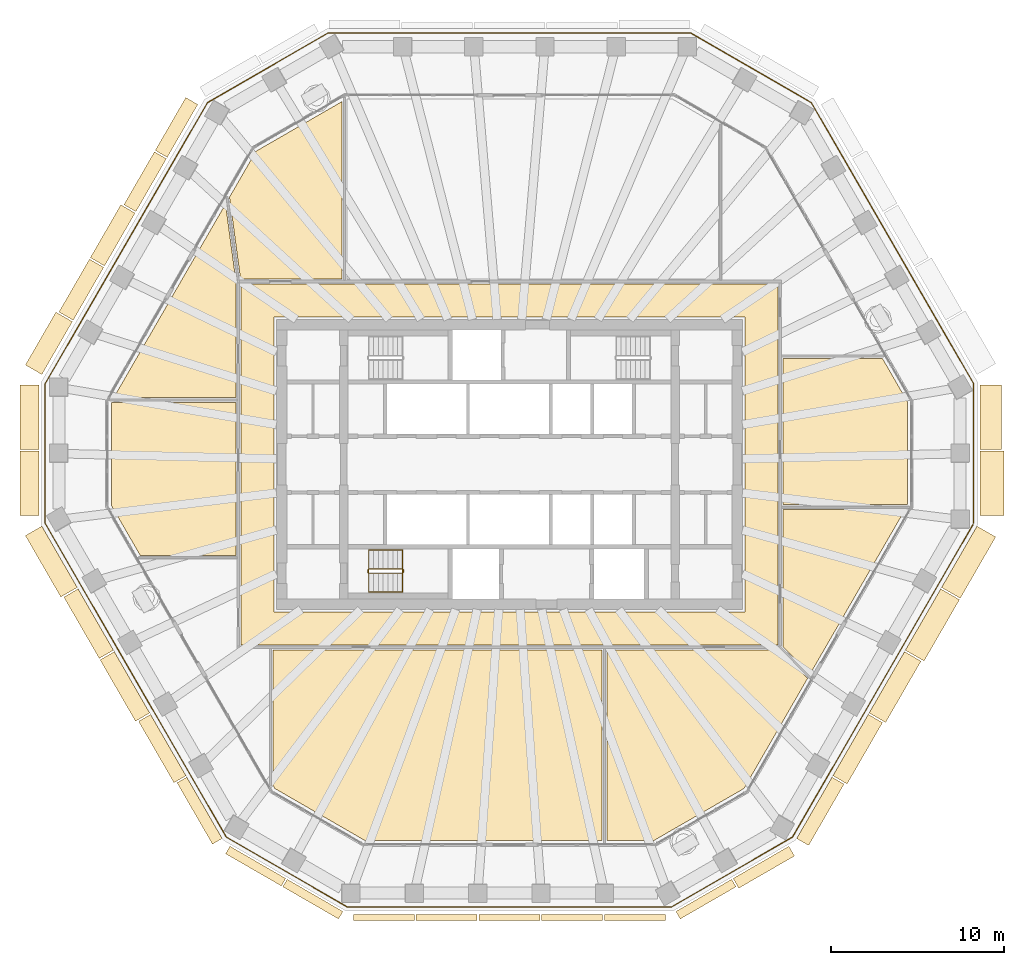
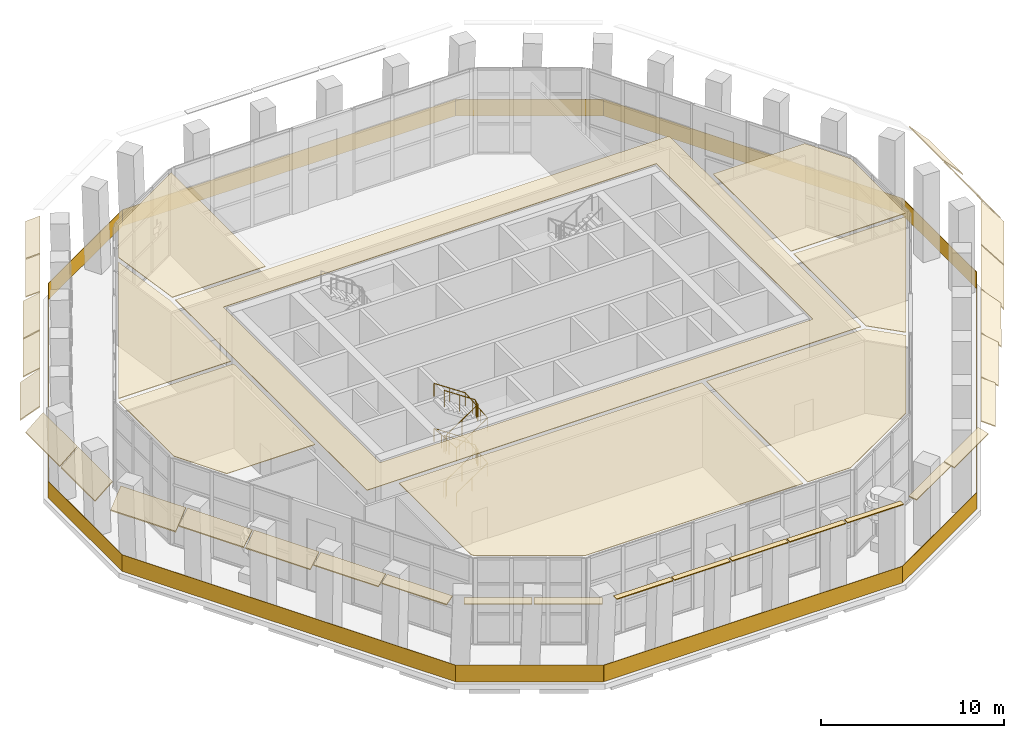
# One storey, part 16 of 19: 36 coverings, 3 railings.
"""IFC4 building model written with IfcOpenShell, lengths in metres."""

from ifc_helpers import new_model, si_unit, direction, frame, origin, origin_2d, place, context, subcontext, project, spatial, polyline, rectangle, circle, outline, extrude, material, layer, layer_set, type_object, element, save


model = new_model("IFC4")

# Units and contexts
model_context = context("Model", 3, precision=1e-05, world=origin(), true_north=direction((0.0, 1.0)))
body_context = subcontext(model_context, "Body", "Model", "MODEL_VIEW")
ifc_project = project(units=[si_unit("LENGTHUNIT", "METRE"), si_unit("AREAUNIT", "SQUARE_METRE"), si_unit("VOLUMEUNIT", "CUBIC_METRE"), si_unit("PLANEANGLEUNIT", "RADIAN"), si_unit("MASSUNIT", "GRAM", prefix="KILO")], contexts=[model_context])

# Site, building, storey
site_placement = place(None, origin())
site = spatial("IfcSite", under=ifc_project, at=site_placement, CompositionType="ELEMENT")
building_placement = place(site_placement, origin())
building = spatial("IfcBuilding", under=site, at=building_placement, Name="Frailejon Research Tower", CompositionType="ELEMENT")
storey_placement = place(building_placement, frame((0.0, 0.0, 231.39990234375)))
storey = spatial("IfcBuildingStorey", under=building, at=storey_placement, Name="L50", CompositionType="ELEMENT", Elevation=231.39990234375)

# Coverings
ifc_material_1 = material(Name="Precast concrete C50/60", Category="concrete")
ifc_layer_1 = layer(ifc_material_1, 0.06005859375)
ifc_layer_set_1 = layer_set([ifc_layer_1], Name="Brim blade depth 1100")
covering_type_1 = type_object("IfcCoveringType", Name="Brim blade depth 1100", PredefinedType="CLADDING", material=ifc_layer_set_1)
covering_1_placement = place(storey_placement, frame((-27.09033203125, 5.212158203125, 5.85009765625), z_axis=(0.499982200163, 0.866035680282, 0.0), x_axis=(-0.866035680282, 0.499982200163, 0.0)))
element("IfcCovering", 1, at=covering_1_placement, inside=storey, type_object=covering_type_1, Name="Brim blade L50", PredefinedType="CLADDING", context=body_context, shape_type="SweptSolid", body=[
    extrude(outline(polyline([(0.0, -0.078369140625), (1.10009765625, -1.001220703125), (1.10009765625, -0.923095703125), (0.0, 0.0), (0.0, -0.078369140625)])), origin(), (0.0, 0.0, 1.0), 3.532470703125),
])
for number, where, z_axis, x_axis, name in (
    (2, (-27.256103515625, 0.8671875, 5.85009765625), (0.0, 1.0, 0.0), (-1.0, 0.0, 0.0), "Brim blade L50"),
    (3, (-27.256103515625, -2.959716796875, 5.85009765625), (0.0, 1.0, 0.0), (-1.0, 0.0, 0.0), "Brim blade L50"),
):
    element("IfcCovering", number, at=place(storey_placement, frame(where, z_axis=z_axis, x_axis=x_axis)), inside=storey, type_object=covering_type_1, Name=name, PredefinedType="CLADDING", context=body_context, shape_type="SweptSolid", body=[
        extrude(outline(polyline([(0.0, -0.078369140625), (1.10009765625, -1.001220703125), (1.10009765625, -0.923095703125), (0.0, 0.0), (0.0, -0.078369140625)])), origin(), (0.0, 0.0, 1.0), 3.726806640625),
    ])
for number, where, z_axis, x_axis, name in (
    (4, (-25.041015625, -7.12744140625, 5.85009765625), (-0.499989094869, 0.866031699773, 0.0), (-0.866031699773, -0.499989094869, 0.0), "Brim blade L50"),
    (5, (22.891845703125, -10.85009765625, 5.85009765625), (-0.499989094869, -0.866031699773, 0.0), (0.866031699773, -0.499989094869, 0.0), "Brim blade L50"),
):
    element("IfcCovering", number, at=place(storey_placement, frame(where, z_axis=z_axis, x_axis=x_axis)), inside=storey, type_object=covering_type_1, Name=name, PredefinedType="CLADDING", context=body_context, shape_type="SweptSolid", body=[
        extrude(outline(polyline([(0.0, -0.078369140625), (1.10009765625, -1.001220703125), (1.10009765625, -0.923095703125), (0.0, 0.0), (0.0, -0.078369140625)])), origin(), (0.0, 0.0, 1.0), 4.0986328125),
    ])
ifc_material_2 = material(Name="Precast concrete C50/60", Category="concrete")
ifc_layer_2 = layer(ifc_material_2, 0.06005859375)
ifc_layer_set_2 = layer_set([ifc_layer_2], Name="Brim blade depth 1250")
covering_type_2 = type_object("IfcCoveringType", Name="Brim blade depth 1250", PredefinedType="CLADDING", material=ifc_layer_set_2)
covering_2_placement = place(storey_placement, frame((27.256103515625, 4.59375, 5.85009765625), z_axis=(0.0, -1.0, 0.0), x_axis=(1.0, 0.0, 0.0)))
element("IfcCovering", 6, at=covering_2_placement, inside=storey, type_object=covering_type_2, Name="Brim blade L50", PredefinedType="CLADDING", context=body_context, shape_type="SweptSolid", body=[
    extrude(outline(polyline([(0.0, -0.0888671875), (1.25, -1.452880859375), (1.25, -1.364013671875), (0.0, 0.0), (0.0, -0.0888671875)])), origin(), (0.0, 0.0, 1.0), 3.726806640625),
])
for number, where, z_axis, x_axis, name in (
    (7, (24.9912109375, -7.214111328125, 5.85009765625), (-0.499999407816, -0.866025745682, 0.0), (0.866025745682, -0.499999407816, 0.0), "Brim blade L50"),
    (8, (27.09033203125, -3.577880859375, 5.85009765625), (-0.499989094869, -0.866031699773, 0.0), (0.866031699773, -0.499989094869, 0.0), "Brim blade L50"),
):
    element("IfcCovering", number, at=place(storey_placement, frame(where, z_axis=z_axis, x_axis=x_axis)), inside=storey, type_object=covering_type_2, Name=name, PredefinedType="CLADDING", context=body_context, shape_type="SweptSolid", body=[
        extrude(outline(polyline([(0.0, -0.0888671875), (1.25, -1.452880859375), (1.25, -1.364013671875), (0.0, 0.0), (0.0, -0.0888671875)])), origin(), (0.0, 0.0, 1.0), 4.0986328125),
    ])
ifc_material_3 = material(Name="Precast concrete C50/60", Category="concrete")
ifc_layer_3 = layer(ifc_material_3, 0.06005859375)
ifc_layer_set_3 = layer_set([ifc_layer_3], Name="Brim blade depth 1400")
covering_type_3 = type_object("IfcCoveringType", Name="Brim blade depth 1400", PredefinedType="CLADDING", material=ifc_layer_set_3)
covering_3_placement = place(storey_placement, frame((27.256103515625, 0.76708984375, 5.85009765625), z_axis=(0.0, -1.0, 0.0), x_axis=(1.0, 0.0, 0.0)))
element("IfcCovering", 9, at=covering_3_placement, inside=storey, type_object=covering_type_3, Name="Brim blade L50", PredefinedType="CLADDING", context=body_context, shape_type="SweptSolid", body=[
    extrude(outline(polyline([(0.0, -0.1044921875), (1.39990234375, -2.10400390625), (1.39990234375, -1.99951171875), (0.0, 0.0), (0.0, -0.1044921875)])), origin(), (0.0, 0.0, 1.0), 3.726806640625),
])
ifc_material_4 = material(Name="Precast concrete C50/60", Category="concrete")
ifc_layer_4 = layer(ifc_material_4, 0.06005859375)
ifc_layer_set_4 = layer_set([ifc_layer_4], Name="Brim blade depth 350")
covering_type_4 = type_object("IfcCoveringType", Name="Brim blade depth 350", PredefinedType="CLADDING", material=ifc_layer_set_4)
covering_4_placement = place(storey_placement, frame((-5.498779296875, -26.067138671875, 5.85009765625), z_axis=(-1.0, 0.0, 0.0), x_axis=(0.0, -1.0, 0.0)))
element("IfcCovering", 10, at=covering_4_placement, inside=storey, type_object=covering_type_4, Name="Brim blade L50", PredefinedType="CLADDING", context=body_context, shape_type="SweptSolid", body=[
    extrude(outline(polyline([(0.0, -0.06005859375), (0.35009765625, -0.06005859375), (0.35009765625, 0.0), (0.0, 0.0), (0.0, -0.06005859375)])), origin(), (0.0, 0.0, 1.0), 3.532470703125),
])
for number, where, z_axis, x_axis, name in (
    (11, (-1.8662109375, -26.067138671875, 5.85009765625), (-1.0, 0.0, 0.0), (0.0, -1.0, 0.0), "Brim blade L50"),
    (12, (1.766357421875, -26.067138671875, 5.85009765625), (-1.0, 0.0, 0.0), (0.0, -1.0, 0.0), "Brim blade L50"),
    (13, (5.39892578125, -26.067138671875, 5.85009765625), (-1.0, 0.0, 0.0), (0.0, -1.0, 0.0), "Brim blade L50"),
):
    element("IfcCovering", number, at=place(storey_placement, frame(where, z_axis=z_axis, x_axis=x_axis)), inside=storey, type_object=covering_type_4, Name=name, PredefinedType="CLADDING", context=body_context, shape_type="SweptSolid", body=[
        extrude(outline(polyline([(0.0, -0.06005859375), (0.35009765625, -0.06005859375), (0.35009765625, 0.0), (0.0, 0.0), (0.0, -0.06005859375)])), origin(), (0.0, 0.0, 1.0), 3.53271484375),
    ])
covering_5_placement = place(storey_placement, frame((9.031494140625, -26.067138671875, 5.85009765625), z_axis=(-1.0, 0.0, 0.0), x_axis=(0.0, -1.0, 0.0)))
element("IfcCovering", 14, at=covering_5_placement, inside=storey, type_object=covering_type_4, Name="Brim blade L50", PredefinedType="CLADDING", context=body_context, shape_type="SweptSolid", body=[
    extrude(outline(polyline([(0.0, -0.06005859375), (0.35009765625, -0.06005859375), (0.35009765625, 0.0), (0.0, 0.0), (0.0, -0.06005859375)])), origin(), (0.0, 0.0, 1.0), 3.532470703125),
])
ifc_material_5 = material(Name="Precast concrete C50/60", Category="concrete")
ifc_layer_5 = layer(ifc_material_5, 0.06005859375)
ifc_layer_set_5 = layer_set([ifc_layer_5], Name="Brim blade depth 500")
covering_type_5 = type_object("IfcCoveringType", Name="Brim blade depth 500", PredefinedType="CLADDING", material=ifc_layer_set_5)
for number, where, z_axis, x_axis, name in (
    (15, (-12.9638671875, -23.988037109375, 5.85009765625), (-0.866029793251, 0.499992397145, 0.0), (-0.499992397145, -0.866029793251, 0.0), "Brim blade L50"),
    (16, (-9.649658203125, -25.9013671875, 5.85009765625), (-0.866025010706, 0.50000068083, 0.0), (-0.50000068083, -0.866025010706, 0.0), "Brim blade L50"),
    (17, (12.877197265625, -24.0380859375, 5.85009765625), (-0.866025010706, -0.50000068083, 0.0), (0.50000068083, -0.866025010706, 0.0), "Brim blade L50"),
):
    element("IfcCovering", number, at=place(storey_placement, frame(where, z_axis=z_axis, x_axis=x_axis)), inside=storey, type_object=covering_type_5, Name=name, PredefinedType="CLADDING", context=body_context, shape_type="SweptSolid", body=[
        extrude(outline(polyline([(0.0, -0.060546875), (0.5, -0.130859375), (0.5, -0.0703125), (0.0, 0.0), (0.0, -0.060546875)])), origin(), (0.0, 0.0, 1.0), 3.726806640625),
    ])
ifc_material_6 = material(Name="Precast concrete C50/60", Category="concrete")
ifc_layer_6 = layer(ifc_material_6, 0.06005859375)
ifc_layer_set_6 = layer_set([ifc_layer_6], Name="Brim blade depth 650")
covering_type_6 = type_object("IfcCoveringType", Name="Brim blade depth 650", PredefinedType="CLADDING", material=ifc_layer_set_6)
covering_6_placement = place(storey_placement, frame((-16.643798828125, -21.672119140625, 5.85009765625), z_axis=(-0.499989094869, 0.866031699773, 0.0), x_axis=(-0.866031699773, -0.499989094869, 0.0)))
element("IfcCovering", 18, at=covering_6_placement, inside=storey, type_object=covering_type_6, Name="Brim blade L50", PredefinedType="CLADDING", context=body_context, shape_type="SweptSolid", body=[
    extrude(outline(polyline([(0.0, -0.0625), (0.64990234375, -0.248779296875), (0.64990234375, -0.186279296875), (0.0, 0.0), (0.0, -0.0625)])), origin(), (0.0, 0.0, 1.0), 4.0986328125),
])
covering_7_placement = place(storey_placement, frame((16.191162109375, -22.124755859375, 5.85009765625), z_axis=(-0.866029793251, -0.499992397145, 0.0), x_axis=(0.499992397145, -0.866029793251, 0.0)))
element("IfcCovering", 19, at=covering_7_placement, inside=storey, type_object=covering_type_6, Name="Brim blade L50", PredefinedType="CLADDING", context=body_context, shape_type="SweptSolid", body=[
    extrude(outline(polyline([(0.0, -0.0625), (0.64990234375, -0.248779296875), (0.64990234375, -0.186279296875), (0.0, 0.0), (0.0, -0.0625)])), origin(), (0.0, 0.0, 1.0), 3.726806640625),
])
ifc_material_7 = material(Name="Precast concrete C50/60", Category="concrete")
ifc_layer_7 = layer(ifc_material_7, 0.06005859375)
ifc_layer_set_7 = layer_set([ifc_layer_7], Name="Brim blade depth 800")
covering_type_7 = type_object("IfcCoveringType", Name="Brim blade depth 800", PredefinedType="CLADDING", material=ifc_layer_set_7)
for number, where, z_axis, x_axis, name in (
    (20, (-19.8251953125, 17.795654296875, 5.85009765625), (0.500002847027, 0.866023760046, 0.0), (-0.866023760046, 0.500002847027, 0.0), "Brim blade L50"),
    (21, (-21.6416015625, 14.64990234375, 5.85009765625), (0.500002847027, 0.866023760046, 0.0), (-0.866023760046, 0.500002847027, 0.0), "Brim blade L50"),
):
    element("IfcCovering", number, at=place(storey_placement, frame(where, z_axis=z_axis, x_axis=x_axis)), inside=storey, type_object=covering_type_7, Name=name, PredefinedType="CLADDING", context=body_context, shape_type="SweptSolid", body=[
        extrude(outline(polyline([(0.0, -0.065673828125), (0.800048828125, -0.421875), (0.800048828125, -0.356201171875), (0.0, 0.0), (0.0, -0.065673828125)])), origin(), (0.0, 0.0, 1.0), 3.53271484375),
    ])
for number, where, z_axis, x_axis, name in (
    (22, (-18.7431640625, -18.035888671875, 5.85009765625), (-0.50001727106, 0.866015432104, 0.0), (-0.866015432104, -0.50001727106, 0.0), "Brim blade L50"),
    (23, (18.693115234375, -18.12255859375, 5.85009765625), (-0.499989094869, -0.866031699773, 0.0), (0.866031699773, -0.499989094869, 0.0), "Brim blade L50"),
):
    element("IfcCovering", number, at=place(storey_placement, frame(where, z_axis=z_axis, x_axis=x_axis)), inside=storey, type_object=covering_type_7, Name=name, PredefinedType="CLADDING", context=body_context, shape_type="SweptSolid", body=[
        extrude(outline(polyline([(0.0, -0.065673828125), (0.800048828125, -0.421875), (0.800048828125, -0.356201171875), (0.0, 0.0), (0.0, -0.065673828125)])), origin(), (0.0, 0.0, 1.0), 4.0986328125),
    ])
ifc_material_8 = material(Name="Precast concrete C50/60", Category="concrete")
ifc_layer_8 = layer(ifc_material_8, 0.06005859375)
ifc_layer_set_8 = layer_set([ifc_layer_8], Name="Brim blade depth 950")
covering_type_8 = type_object("IfcCoveringType", Name="Brim blade depth 950", PredefinedType="CLADDING", material=ifc_layer_set_8)
for number, where, z_axis, x_axis, name in (
    (24, (-23.4580078125, 11.50390625, 5.85009765625), (0.500002847027, 0.866023760046, 0.0), (-0.866023760046, 0.500002847027, 0.0), "Brim blade L50"),
    (25, (-25.274169921875, 8.35791015625, 5.85009765625), (0.500002847027, 0.866023760046, 0.0), (-0.866023760046, 0.500002847027, 0.0), "Brim blade L50"),
):
    element("IfcCovering", number, at=place(storey_placement, frame(where, z_axis=z_axis, x_axis=x_axis)), inside=storey, type_object=covering_type_8, Name=name, PredefinedType="CLADDING", context=body_context, shape_type="SweptSolid", body=[
        extrude(outline(polyline([(0.0, -0.07080078125), (0.949951171875, -0.664306640625), (0.949951171875, -0.593505859375), (0.0, 0.0), (0.0, -0.07080078125)])), origin(), (0.0, 0.0, 1.0), 3.53271484375),
    ])
for number, where, z_axis, x_axis, name in (
    (26, (-22.94189453125, -10.763671875, 5.85009765625), (-0.499999407816, 0.866025745682, 0.0), (-0.866025745682, -0.499999407816, 0.0), "Brim blade L50"),
    (27, (-20.842529296875, -14.39990234375, 5.85009765625), (-0.499989094869, 0.866031699773, 0.0), (-0.866031699773, -0.499989094869, 0.0), "Brim blade L50"),
    (28, (20.79248046875, -14.486328125, 5.85009765625), (-0.50001727106, -0.866015432104, 0.0), (0.866015432104, -0.50001727106, 0.0), "Brim blade L50"),
):
    element("IfcCovering", number, at=place(storey_placement, frame(where, z_axis=z_axis, x_axis=x_axis)), inside=storey, type_object=covering_type_8, Name=name, PredefinedType="CLADDING", context=body_context, shape_type="SweptSolid", body=[
        extrude(outline(polyline([(0.0, -0.07080078125), (0.949951171875, -0.664306640625), (0.949951171875, -0.593505859375), (0.0, 0.0), (0.0, -0.07080078125)])), origin(), (0.0, 0.0, 1.0), 4.0986328125),
    ])

# Railings
ifc_material_9 = material(Name="Laminated glass balustrade", Category="glass")
railing_type_1 = type_object("IfcRailingType", Name="Glass guard 1100", PredefinedType="GUARDRAIL", material=ifc_material_9)
railing_1_placement = place(storey_placement, frame((26.89990234375, -3.4130859375, 0.0)))
element("IfcRailing", 29, at=railing_1_placement, inside=storey, type_object=railing_type_1, Name="Loggia guard L50", PredefinedType="GUARDRAIL", context=body_context, shape_type="SweptSolid", body=[
    extrude(rectangle(XDim=8.08349609375, YDim=0.030029296875, at=origin_2d()), frame((0.0, 4.041748046875, 0.0), z_axis=(0.0, 0.0, 1.0), x_axis=(0.0, 1.0, 0.0)), (0.0, 0.0, 1.0), 1.10009765625),
    extrude(rectangle(XDim=18.810546875, YDim=0.030029296875, at=origin_2d()), frame((-4.70263671875, 16.228515625, 0.0), z_axis=(0.0, 0.0, 1.0), x_axis=(-0.500012686397, 0.866018079166, 0.0)), (0.0, 0.0, 1.0), 1.10009765625),
    extrude(rectangle(XDim=8.08349609375, YDim=0.030029296875, at=origin_2d()), frame((-12.90576171875, 26.394775390625, 0.0), z_axis=(0.0, 0.0, 1.0), x_axis=(-0.866011562111, 0.500023973715, 0.0)), (0.0, 0.0, 1.0), 1.10009765625),
    extrude(rectangle(XDim=20.98779296875, YDim=0.030029296875, at=origin_2d()), frame((-26.89990234375, 28.415771484375, 0.0), z_axis=(0.0, 0.0, 1.0), x_axis=(-1.0, 0.0, 0.0)), (0.0, 0.0, 1.0), 1.10009765625),
    extrude(rectangle(XDim=8.08349609375, YDim=0.030029296875, at=origin_2d()), frame((-40.89404296875, 26.394775390625, 0.0), z_axis=(0.0, 0.0, 1.0), x_axis=(-0.866011562111, -0.500023973715, 0.0)), (0.0, 0.0, 1.0), 1.10009765625),
    extrude(rectangle(XDim=18.810546875, YDim=0.030029296875, at=origin_2d()), frame((-49.09716796875, 16.228515625, 0.0), z_axis=(0.0, 0.0, 1.0), x_axis=(-0.500012686397, -0.866018079166, 0.0)), (0.0, 0.0, 1.0), 1.10009765625),
    extrude(rectangle(XDim=8.08349609375, YDim=0.030029296875, at=origin_2d()), frame((-53.7998046875, 4.041748046875, 0.0), z_axis=(0.0, 0.0, 1.0), x_axis=(0.0, -1.0, 0.0)), (0.0, 0.0, 1.0), 1.10009765625),
    extrude(rectangle(XDim=20.988037109375, YDim=0.030029296875, at=origin_2d()), frame((-48.552734375, -9.088134765625, 0.0), z_axis=(0.0, 0.0, 1.0), x_axis=(0.499993652722, -0.866029068356, 0.0)), (0.0, 0.0, 1.0), 1.10009765625),
    extrude(rectangle(XDim=8.083740234375, YDim=0.030029296875, at=origin_2d()), frame((-39.8056640625, -20.197265625, 0.0), z_axis=(0.0, 0.0, 1.0), x_axis=(0.866032190624, -0.499988244665, 0.0)), (0.0, 0.0, 1.0), 1.10009765625),
    extrude(rectangle(XDim=18.810546875, YDim=0.030029296875, at=origin_2d()), frame((-26.89990234375, -22.218017578125, 0.0), z_axis=(0.0, 0.0, 1.0), x_axis=(1.0, 0.0, 0.0)), (0.0, 0.0, 1.0), 1.10009765625),
    extrude(rectangle(XDim=8.083740234375, YDim=0.030029296875, at=origin_2d()), frame((-13.994140625, -20.197265625, 0.0), z_axis=(0.0, 0.0, 1.0), x_axis=(0.866032190624, 0.499988244665, 0.0)), (0.0, 0.0, 1.0), 1.10009765625),
    extrude(rectangle(XDim=20.917724609375, YDim=0.030029296875, at=origin_2d()), frame((-5.2646484375, -9.11865234375, 0.0), z_axis=(0.0, 0.0, 1.0), x_axis=(0.499991532449, 0.866030292472, 0.0)), (0.0, 0.0, 1.0), 1.10009765625),
])
ifc_material_10 = material(Name="Stainless steel", Category="steel")
railing_type_2 = type_object("IfcRailingType", Name="Stair guard 1100", PredefinedType="GUARDRAIL", material=ifc_material_10)
railing_2_placement = place(storey_placement, frame((-8.199951171875, -6.10009765625, 0.0)))
element("IfcRailing", 30, at=railing_2_placement, inside=storey, type_object=railing_type_2, Name="L50 ST2 stair guard 1", PredefinedType="GUARDRAIL", context=body_context, shape_type="SweptSolid", body=[
    extrude(circle(Radius=0.02392578125, at=origin_2d()), frame((0.0, 0.0, 1.076171875), z_axis=(0.0, -1.0, 0.0), x_axis=(1.0, 0.0, 0.0)), (0.0, 0.0, 1.0), 0.14990234375),
    extrude(circle(Radius=0.02392578125, at=origin_2d()), frame((0.0, -0.14990234375, 1.076171875), z_axis=(0.249726431254, -0.249726431254, 0.935560483917), x_axis=(0.707106781187, 0.707106781187, 0.0)), (0.0, 0.0, 1.0), 0.200439453125),
    extrude(circle(Radius=0.02392578125, at=origin_2d()), frame((0.050048828125, -0.199951171875, 1.263671875), z_axis=(0.830902050051, 0.0, 0.556418712142), x_axis=(0.0, 1.0, 0.0)), (0.0, 0.0, 1.0), 2.35888671875),
    extrude(circle(Radius=0.02392578125, at=origin_2d()), frame((2.010009765625, -0.199951171875, 2.576171875), z_axis=(0.707106781187, 0.707106781187, 0.0), x_axis=(-0.707106781187, 0.707106781187, 0.0)), (0.0, 0.0, 1.0), 0.07080078125),
    extrude(circle(Radius=0.02392578125, at=origin_2d()), frame((2.06005859375, -0.14990234375, 2.576171875), z_axis=(0.0, 1.0, 0.0), x_axis=(-1.0, 0.0, 0.0)), (0.0, 0.0, 1.0), 0.14990234375),
    extrude(circle(Radius=0.02392578125, at=origin_2d()), frame((2.06005859375, 0.0, 2.576171875), z_axis=(-0.249726431254, 0.249726431254, 0.935560483917), x_axis=(-0.707106781187, -0.707106781187, 0.0)), (0.0, 0.0, 1.0), 0.200439453125),
    extrude(circle(Radius=0.02392578125, at=origin_2d()), frame((2.010009765625, 0.050048828125, 2.763671875), z_axis=(-0.830902050051, 0.0, 0.556418712142), x_axis=(0.0, -1.0, 0.0)), (0.0, 0.0, 1.0), 2.35888671875),
    extrude(circle(Radius=0.02392578125, at=origin_2d()), frame((0.050048828125, 0.050048828125, 4.076171875), z_axis=(-0.707106781187, -0.707106781187, 0.0), x_axis=(0.707106781187, -0.707106781187, 0.0)), (0.0, 0.0, 1.0), 0.07080078125),
    extrude(circle(Radius=0.02392578125, at=origin_2d()), frame((0.0, 0.0, 4.076171875), z_axis=(0.0, -1.0, 0.0), x_axis=(1.0, 0.0, 0.0)), (0.0, 0.0, 1.0), 0.14990234375),
    extrude(circle(Radius=0.02392578125, at=origin_2d()), frame((0.0, -0.14990234375, 4.076171875), z_axis=(0.249726431254, -0.249726431254, 0.935560483917), x_axis=(0.707106781187, 0.707106781187, 0.0)), (0.0, 0.0, 1.0), 0.200439453125),
    extrude(circle(Radius=0.02392578125, at=origin_2d()), frame((0.050048828125, -0.199951171875, 4.263671875), z_axis=(0.830902050051, 0.0, 0.556418712142), x_axis=(0.0, 1.0, 0.0)), (0.0, 0.0, 1.0), 2.35888671875),
    extrude(circle(Radius=0.02392578125, at=origin_2d()), frame((2.010009765625, -0.199951171875, 5.576171875), z_axis=(0.707106781187, 0.707106781187, 0.0), x_axis=(-0.707106781187, 0.707106781187, 0.0)), (0.0, 0.0, 1.0), 0.07080078125),
    extrude(circle(Radius=0.02392578125, at=origin_2d()), frame((2.06005859375, -0.14990234375, 5.576171875), z_axis=(0.0, 1.0, 0.0), x_axis=(-1.0, 0.0, 0.0)), (0.0, 0.0, 1.0), 0.14990234375),
    extrude(circle(Radius=0.02392578125, at=origin_2d()), frame((2.06005859375, 0.0, 5.576171875), z_axis=(-0.249726431254, 0.249726431254, 0.935560483917), x_axis=(-0.707106781187, -0.707106781187, 0.0)), (0.0, 0.0, 1.0), 0.200439453125),
    extrude(circle(Radius=0.02392578125, at=origin_2d()), frame((2.010009765625, 0.050048828125, 5.763671875), z_axis=(-0.830902050051, 0.0, 0.556418712142), x_axis=(0.0, -1.0, 0.0)), (0.0, 0.0, 1.0), 2.35888671875),
    extrude(circle(Radius=0.02099609375, at=origin_2d()), origin(), (0.0, 0.0, 1.0), 1.052001953125),
    extrude(circle(Radius=0.02099609375, at=origin_2d()), frame((0.0, -0.14990234375, 0.0)), (0.0, 0.0, 1.0), 1.052001953125),
    extrude(circle(Radius=0.02099609375, at=origin_2d()), frame((0.050048828125, -0.199951171875, 0.1875)), (0.0, 0.0, 1.0), 1.052001953125),
    extrude(circle(Radius=0.02099609375, at=origin_2d()), frame((1.030029296875, -0.199951171875, 0.84375)), (0.0, 0.0, 1.0), 1.052001953125),
    extrude(circle(Radius=0.02099609375, at=origin_2d()), frame((2.010009765625, -0.199951171875, 1.5)), (0.0, 0.0, 1.0), 1.052001953125),
    extrude(circle(Radius=0.02099609375, at=origin_2d()), frame((2.06005859375, -0.14990234375, 1.5)), (0.0, 0.0, 1.0), 1.052001953125),
    extrude(circle(Radius=0.02099609375, at=origin_2d()), frame((2.06005859375, 0.0, 1.5)), (0.0, 0.0, 1.0), 1.052001953125),
    extrude(circle(Radius=0.02099609375, at=origin_2d()), frame((2.010009765625, 0.050048828125, 1.6875)), (0.0, 0.0, 1.0), 1.052001953125),
    extrude(circle(Radius=0.02099609375, at=origin_2d()), frame((1.030029296875, 0.050048828125, 2.34375)), (0.0, 0.0, 1.0), 1.052001953125),
    extrude(circle(Radius=0.02099609375, at=origin_2d()), frame((0.050048828125, 0.050048828125, 3.0)), (0.0, 0.0, 1.0), 1.052001953125),
    extrude(circle(Radius=0.02099609375, at=origin_2d()), frame((0.0, 0.0, 3.0)), (0.0, 0.0, 1.0), 1.052001953125),
    extrude(circle(Radius=0.02099609375, at=origin_2d()), frame((0.0, -0.14990234375, 3.0)), (0.0, 0.0, 1.0), 1.052001953125),
    extrude(circle(Radius=0.02099609375, at=origin_2d()), frame((0.050048828125, -0.199951171875, 3.1875)), (0.0, 0.0, 1.0), 1.052001953125),
    extrude(circle(Radius=0.02099609375, at=origin_2d()), frame((1.030029296875, -0.199951171875, 3.84375)), (0.0, 0.0, 1.0), 1.052001953125),
    extrude(circle(Radius=0.02099609375, at=origin_2d()), frame((2.010009765625, -0.199951171875, 4.5)), (0.0, 0.0, 1.0), 1.052001953125),
    extrude(circle(Radius=0.02099609375, at=origin_2d()), frame((2.06005859375, -0.14990234375, 4.5)), (0.0, 0.0, 1.0), 1.052001953125),
    extrude(circle(Radius=0.02099609375, at=origin_2d()), frame((2.06005859375, 0.0, 4.5)), (0.0, 0.0, 1.0), 1.052001953125),
    extrude(circle(Radius=0.02099609375, at=origin_2d()), frame((2.010009765625, 0.050048828125, 4.6875)), (0.0, 0.0, 1.0), 1.052001953125),
    extrude(circle(Radius=0.02099609375, at=origin_2d()), frame((1.030029296875, 0.050048828125, 5.34375)), (0.0, 0.0, 1.0), 1.052001953125),
    extrude(circle(Radius=0.02099609375, at=origin_2d()), frame((0.050048828125, 0.050048828125, 6.0)), (0.0, 0.0, 1.0), 1.052001953125),
])
ifc_material_11 = material(Name="Stainless steel", Category="steel")
railing_type_3 = type_object("IfcRailingType", Name="Stair handrail 900", PredefinedType="HANDRAIL", material=ifc_material_11)
railing_3_placement = place(storey_placement, frame((-8.14990234375, -7.39990234375, 0.1875)))
element("IfcRailing", 31, at=railing_3_placement, inside=storey, type_object=railing_type_3, Name="L50 ST2 stair handrail 1", PredefinedType="HANDRAIL", context=body_context, shape_type="SweptSolid", body=[
    extrude(circle(Radius=0.02392578125, at=origin_2d()), frame((0.0, 0.0, 0.8759765625), z_axis=(0.830902050051, 0.0, 0.556418712142), x_axis=(0.0, 1.0, 0.0)), (0.0, 0.0, 1.0), 2.35888671875),
    extrude(circle(Radius=0.02392578125, at=origin_2d()), frame((1.9599609375, 0.0, 2.1884765625), z_axis=(0.0, 0.997084218397, 0.07630898652), x_axis=(-1.0, 0.0, 0.0)), (0.0, 0.0, 1.0), 2.45703125),
    extrude(circle(Radius=0.02392578125, at=origin_2d()), frame((1.9599609375, 2.449951171875, 2.3759765625), z_axis=(-0.830902050051, 0.0, 0.556418712142), x_axis=(0.0, -1.0, 0.0)), (0.0, 0.0, 1.0), 2.35888671875),
    extrude(circle(Radius=0.02392578125, at=origin_2d()), frame((0.0, 2.449951171875, 3.6884765625), z_axis=(0.0, -0.997084218397, 0.07630898652), x_axis=(1.0, 0.0, 0.0)), (0.0, 0.0, 1.0), 2.45703125),
    extrude(circle(Radius=0.02392578125, at=origin_2d()), frame((0.0, 0.0, 3.8759765625), z_axis=(0.830902050051, 0.0, 0.556418712142), x_axis=(0.0, 1.0, 0.0)), (0.0, 0.0, 1.0), 2.35888671875),
    extrude(circle(Radius=0.02392578125, at=origin_2d()), frame((1.9599609375, 0.0, 5.1884765625), z_axis=(0.0, 0.997084218397, 0.07630898652), x_axis=(-1.0, 0.0, 0.0)), (0.0, 0.0, 1.0), 2.45703125),
    extrude(circle(Radius=0.02392578125, at=origin_2d()), frame((1.9599609375, 2.449951171875, 5.3759765625), z_axis=(-0.830902050051, 0.0, 0.556418712142), x_axis=(0.0, -1.0, 0.0)), (0.0, 0.0, 1.0), 2.35888671875),
    extrude(circle(Radius=0.02099609375, at=origin_2d()), origin(), (0.0, 0.0, 1.0), 0.851806640625),
    extrude(circle(Radius=0.02099609375, at=origin_2d()), frame((0.97998046875, 0.0, 0.65625)), (0.0, 0.0, 1.0), 0.851806640625),
    extrude(circle(Radius=0.02099609375, at=origin_2d()), frame((1.9599609375, 0.0, 1.3125)), (0.0, 0.0, 1.0), 0.851806640625),
    extrude(circle(Radius=0.02099609375, at=origin_2d()), frame((1.9599609375, 0.816650390625, 1.375)), (0.0, 0.0, 1.0), 0.851806640625),
    extrude(circle(Radius=0.02099609375, at=origin_2d()), frame((1.9599609375, 1.63330078125, 1.4375)), (0.0, 0.0, 1.0), 0.851806640625),
    extrude(circle(Radius=0.02099609375, at=origin_2d()), frame((1.9599609375, 2.449951171875, 1.5)), (0.0, 0.0, 1.0), 0.851806640625),
    extrude(circle(Radius=0.02099609375, at=origin_2d()), frame((0.97998046875, 2.449951171875, 2.15625)), (0.0, 0.0, 1.0), 0.851806640625),
    extrude(circle(Radius=0.02099609375, at=origin_2d()), frame((0.0, 2.449951171875, 2.8125)), (0.0, 0.0, 1.0), 0.851806640625),
    extrude(circle(Radius=0.02099609375, at=origin_2d()), frame((0.0, 1.63330078125, 2.875)), (0.0, 0.0, 1.0), 0.851806640625),
    extrude(circle(Radius=0.02099609375, at=origin_2d()), frame((0.0, 0.816650390625, 2.9375)), (0.0, 0.0, 1.0), 0.851806640625),
    extrude(circle(Radius=0.02099609375, at=origin_2d()), frame((0.0, 0.0, 3.0)), (0.0, 0.0, 1.0), 0.851806640625),
    extrude(circle(Radius=0.02099609375, at=origin_2d()), frame((0.97998046875, 0.0, 3.65625)), (0.0, 0.0, 1.0), 0.851806640625),
    extrude(circle(Radius=0.02099609375, at=origin_2d()), frame((1.9599609375, 0.0, 4.3125)), (0.0, 0.0, 1.0), 0.851806640625),
    extrude(circle(Radius=0.02099609375, at=origin_2d()), frame((1.9599609375, 0.816650390625, 4.375)), (0.0, 0.0, 1.0), 0.851806640625),
    extrude(circle(Radius=0.02099609375, at=origin_2d()), frame((1.9599609375, 1.63330078125, 4.4375)), (0.0, 0.0, 1.0), 0.851806640625),
    extrude(circle(Radius=0.02099609375, at=origin_2d()), frame((1.9599609375, 2.449951171875, 4.5)), (0.0, 0.0, 1.0), 0.851806640625),
    extrude(circle(Radius=0.02099609375, at=origin_2d()), frame((0.97998046875, 2.449951171875, 5.15625)), (0.0, 0.0, 1.0), 0.851806640625),
    extrude(circle(Radius=0.02099609375, at=origin_2d()), frame((0.0, 2.449951171875, 5.8125)), (0.0, 0.0, 1.0), 0.851806640625),
])

# Coverings
ifc_material_12 = material(Name="Mineral fibre ceiling board")
ifc_layer_9 = layer(ifc_material_12, 0.0400390625)
ifc_layer_set_9 = layer_set([ifc_layer_9], Name="Suspended ceiling 40")
covering_type_9 = type_object("IfcCoveringType", Name="Suspended ceiling 40", PredefinedType="CEILING", material=ifc_layer_set_9)
covering_8_placement = place(storey_placement, frame((0.0, 0.0, 5.66015625)))
element("IfcCovering", 32, at=covering_8_placement, inside=storey, type_object=covering_type_9, Name="Ceiling Sky lobby L50-001", PredefinedType="CEILING", context=body_context, shape_type="SweptSolid", body=[
    extrude(outline(polyline([(15.56005859375, 10.4599609375), (-15.56005859375, 10.4599609375), (-15.56005859375, -10.4599609375), (15.56005859375, -10.4599609375), (15.56005859375, 10.4599609375)]), holes=[polyline([(-13.639892578125, -8.5400390625), (-13.639892578125, 8.5400390625), (13.639892578125, 8.5400390625), (13.639892578125, -8.5400390625), (-13.639892578125, -8.5400390625)])]), origin(), (0.0, 0.0, 1.0), 0.0400390625),
])
covering_9_placement = place(storey_placement, frame((0.0, 0.0, 5.66015625)))
element("IfcCovering", 33, at=covering_9_placement, inside=storey, type_object=covering_type_9, Name="Ceiling Business centre L50-002", PredefinedType="CEILING", context=body_context, shape_type="SweptSolid", body=[
    extrude(outline(polyline([(23.057373046875, 3.640625), (21.609130859375, 6.14892578125), (15.840087890625, 6.14892578125), (15.840087890625, -2.334716796875), (23.057373046875, -2.334716796875), (23.057373046875, 3.640625)])), origin(), (0.0, 0.0, 1.0), 0.0400390625),
])
covering_10_placement = place(storey_placement, frame((0.0, 0.0, 5.66015625)))
element("IfcCovering", 34, at=covering_10_placement, inside=storey, type_object=covering_type_9, Name="Ceiling Fitness room L50-005", PredefinedType="CEILING", context=body_context, shape_type="SweptSolid", body=[
    extrude(outline(polyline([(-15.57763671875, 10.739990234375), (-9.695556640625, 10.739990234375), (-9.695556640625, 21.026611328125), (-14.681640625, 18.147705078125), (-16.218017578125, 15.48681640625), (-15.57763671875, 10.739990234375)])), origin(), (0.0, 0.0, 1.0), 0.0400390625),
])
covering_11_placement = place(storey_placement, frame((0.0, 0.0, 5.66015625)))
element("IfcCovering", 35, at=covering_11_placement, inside=storey, type_object=covering_type_9, Name="Ceiling Cafe L50-006", PredefinedType="CEILING", context=body_context, shape_type="SweptSolid", body=[
    extrude(outline(polyline([(-15.840087890625, 3.871826171875), (-15.840087890625, 10.590576171875), (-16.447021484375, 15.090087890625), (-22.923828125, 3.871826171875), (-15.840087890625, 3.871826171875)])), origin(), (0.0, 0.0, 1.0), 0.0400390625),
])
covering_12_placement = place(storey_placement, frame((0.0, 0.0, 5.66015625)))
element("IfcCovering", 36, at=covering_12_placement, inside=storey, type_object=covering_type_9, Name="Ceiling Meeting room L50-007", PredefinedType="CEILING", context=body_context, shape_type="SweptSolid", body=[
    extrude(outline(polyline([(-23.057373046875, -2.383544921875), (-21.391357421875, -5.268798828125), (-15.840087890625, -5.268798828125), (-15.840087890625, 3.591796875), (-23.057373046875, 3.591796875), (-23.057373046875, -2.383544921875)])), origin(), (0.0, 0.0, 1.0), 0.0400390625),
])
covering_13_placement = place(storey_placement, frame((0.0, 0.0, 5.66015625)))
element("IfcCovering", 37, at=covering_13_placement, inside=storey, type_object=covering_type_9, Name="Ceiling Business centre L50-009", PredefinedType="CEILING", context=body_context, shape_type="SweptSolid", body=[
    extrude(outline(polyline([(5.374267578125, -10.739990234375), (-13.701904296875, -10.739990234375), (-13.701904296875, -18.587890625), (-13.593017578125, -18.7763671875), (-8.375732421875, -21.78857421875), (5.374267578125, -21.78857421875), (5.374267578125, -10.739990234375)])), origin(), (0.0, 0.0, 1.0), 0.0400390625),
])
covering_14_placement = place(storey_placement, frame((0.0, 0.0, 5.66015625)))
element("IfcCovering", 38, at=covering_14_placement, inside=storey, type_object=covering_type_9, Name="Ceiling Fitness room L50-010", PredefinedType="CEILING", context=body_context, shape_type="SweptSolid", body=[
    extrude(outline(polyline([(15.64111328125, -10.739990234375), (5.654296875, -10.739990234375), (5.654296875, -21.78857421875), (8.375732421875, -21.78857421875), (13.593017578125, -18.7763671875), (17.27197265625, -12.404296875), (15.64111328125, -10.739990234375)])), origin(), (0.0, 0.0, 1.0), 0.0400390625),
])
covering_15_placement = place(storey_placement, frame((0.0, 0.0, 5.66015625)))
element("IfcCovering", 39, at=covering_15_placement, inside=storey, type_object=covering_type_9, Name="Ceiling Cafe L50-011", PredefinedType="CEILING", context=body_context, shape_type="SweptSolid", body=[
    extrude(outline(polyline([(15.840087890625, -2.61474609375), (15.840087890625, -10.54296875), (17.417236328125, -12.152587890625), (22.923828125, -2.61474609375), (15.840087890625, -2.61474609375)])), origin(), (0.0, 0.0, 1.0), 0.0400390625),
])

save(model, "model.ifc")
